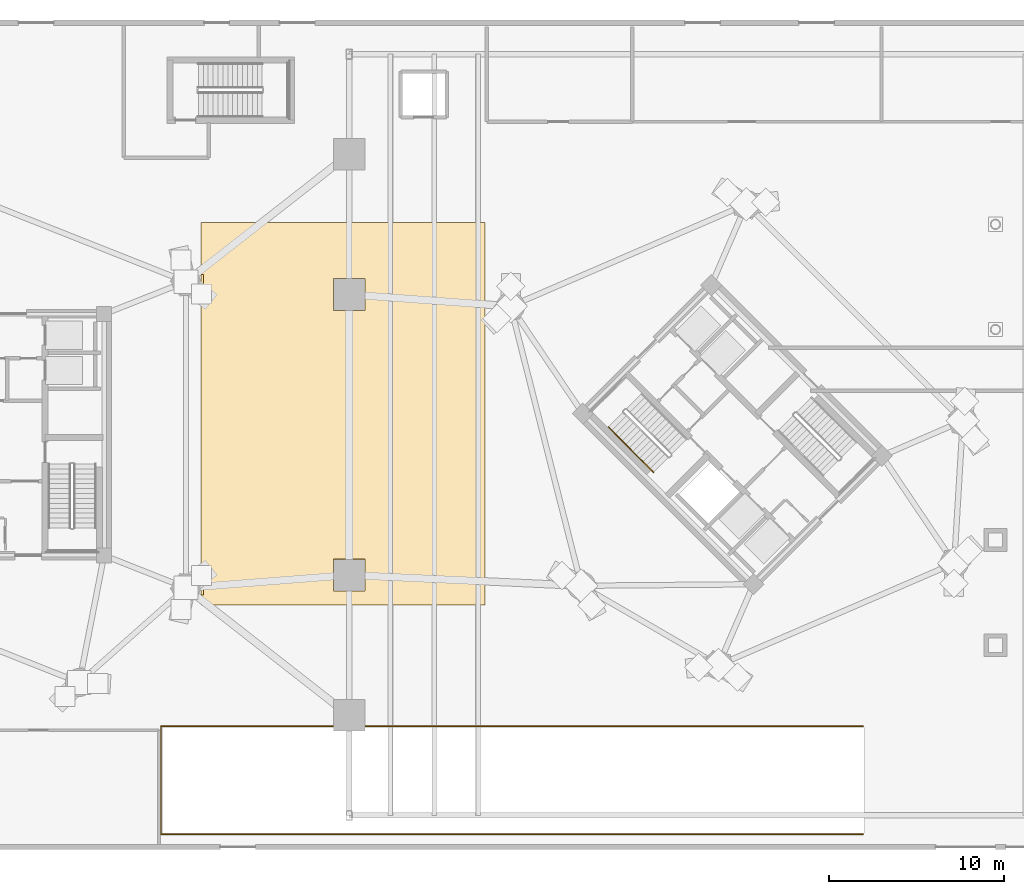
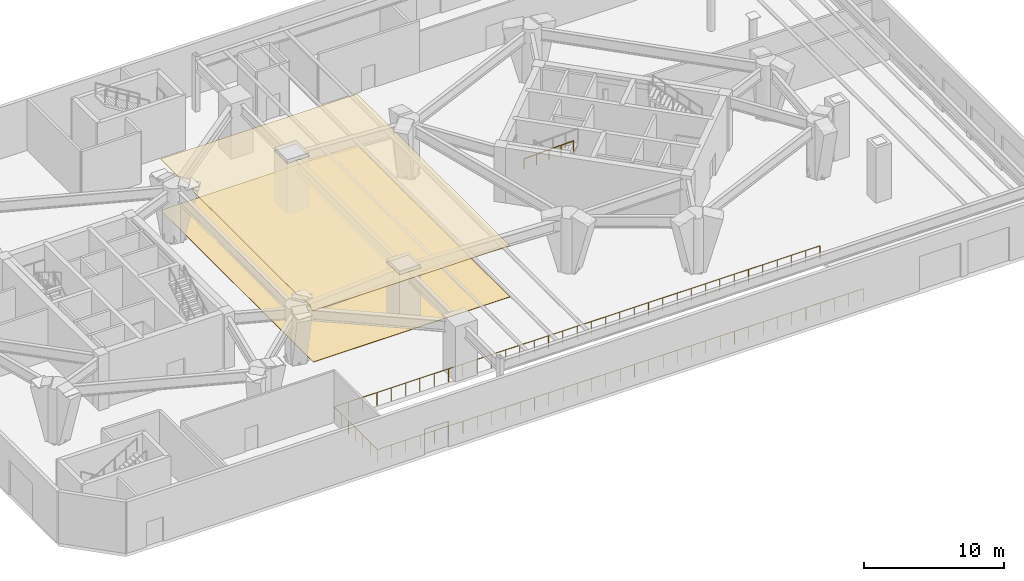
# One storey, part 13 of 17: 2 coverings, 2 railings.
"""IFC4 building model written with IfcOpenShell, lengths in metres."""

from ifc_helpers import new_model, si_unit, direction, frame, origin, origin_2d, place, context, subcontext, project, spatial, polyline, circle, outline, extrude, material, layer, layer_set, type_object, element, save


model = new_model("IFC4")

# Units and contexts
model_context = context("Model", 3, precision=1e-05, world=origin(), true_north=direction((0.0, 1.0)))
body_context = subcontext(model_context, "Body", "Model", "MODEL_VIEW")
ifc_project = project(units=[si_unit("LENGTHUNIT", "METRE"), si_unit("AREAUNIT", "SQUARE_METRE"), si_unit("VOLUMEUNIT", "CUBIC_METRE"), si_unit("PLANEANGLEUNIT", "RADIAN"), si_unit("MASSUNIT", "GRAM", prefix="KILO")], contexts=[model_context])

# Site, building, storey
site_placement = place(None, origin())
site = spatial("IfcSite", under=ifc_project, at=site_placement, CompositionType="ELEMENT")
building_placement = place(site_placement, origin())
building = spatial("IfcBuilding", under=site, at=building_placement, Name="Cununo Teusaquillo Station Towers", CompositionType="ELEMENT")
storey_placement = place(building_placement, origin())
storey = spatial("IfcBuildingStorey", under=building, at=storey_placement, Name="L00", CompositionType="ELEMENT", Elevation=0.0)

# Coverings
ifc_material_1 = material(Name="Mineral-fibre acoustic suspended ceiling tile", Category="finish")
ifc_layer_1 = layer(ifc_material_1, 0.044921875)
ifc_layer_set_1 = layer_set([ifc_layer_1], Name="Mineral-fibre acoustic suspended ceiling tile")
covering_type_1 = type_object("IfcCoveringType", Name="COV-CEIL-600", PredefinedType="CEILING", material=ifc_layer_set_1)
covering_1_placement = place(storey_placement, frame((0.0, 0.0, 4.455078125)))
element("IfcCovering", 1, at=covering_1_placement, inside=storey, type_object=covering_type_1, Name="L00 Suspended Acoustic Ceiling", PredefinedType="CEILING", context=body_context, shape_type="SweptSolid", body=[
    extrude(outline(polyline([(27.199951171875, 36.60009765625), (43.39990234375, 36.60009765625), (43.39990234375, 14.800048828125), (27.199951171875, 14.800048828125), (27.199951171875, 15.369873046875), (27.3388671875, 15.369873046875), (27.3388671875, 16.8779296875), (27.199951171875, 16.8779296875), (27.199951171875, 32.1220703125), (27.3388671875, 32.1220703125), (27.3388671875, 33.630126953125), (27.199951171875, 33.630126953125), (27.199951171875, 36.60009765625)]), holes=[polyline([(34.74609375, 15.595947265625), (36.553955078125, 15.595947265625), (36.553955078125, 17.404052734375), (34.74609375, 17.404052734375), (34.74609375, 15.595947265625)]), polyline([(34.74609375, 31.595947265625), (36.553955078125, 31.595947265625), (36.553955078125, 33.404052734375), (34.74609375, 33.404052734375), (34.74609375, 31.595947265625)])]), origin(), (0.0, 0.0, 1.0), 0.044921875),
])
ifc_material_2 = material(Name="Polished basalt-chip terrazzo floor finish", Category="masonry")
ifc_layer_2 = layer(ifc_material_2, 0.034912109375)
ifc_layer_set_2 = layer_set([ifc_layer_2], Name="Polished basalt-chip terrazzo floor finish")
covering_type_2 = type_object("IfcCoveringType", Name="COV-FLR-TERR", PredefinedType="FLOORING", material=ifc_layer_set_2)
covering_2_placement = place(storey_placement, origin())
element("IfcCovering", 2, at=covering_2_placement, inside=storey, type_object=covering_type_2, Name="L00 Polished Terrazzo Floor Finish", PredefinedType="FLOORING", context=body_context, shape_type="SweptSolid", body=[
    extrude(outline(polyline([(27.199951171875, 14.800048828125), (43.39990234375, 14.800048828125), (43.39990234375, 36.60009765625), (27.199951171875, 36.60009765625), (27.199951171875, 14.800048828125)])), origin(), (0.0, 0.0, 1.0), 0.034912109375),
])

# Railings
ifc_material_3 = material(Name="Steel EN 10025-2 S355J2", Category="steel")
railing_type_1 = type_object("IfcRailingType", Name="RL-INT-GUARD", PredefinedType="GUARDRAIL", material=ifc_material_3)
railing_1_placement = place(storey_placement, frame((64.949951171875, 7.8798828125, 0.0)))
element("IfcRailing", 3, at=railing_1_placement, inside=storey, type_object=railing_type_1, Name="L00 Vehicle Ramp Well Guardrail", PredefinedType="GUARDRAIL", context=body_context, shape_type="SweptSolid", body=[
    extrude(circle(Radius=0.02392578125, at=origin_2d()), frame((0.0, 0.0, 1.1259765625), z_axis=(-1.0, 0.0, 0.0), x_axis=(0.0, -1.0, 0.0)), (0.0, 0.0, 1.0), 40.030029296875),
    extrude(circle(Radius=0.02392578125, at=origin_2d()), frame((-40.030029296875, 0.0, 1.1259765625), z_axis=(0.0, -1.0, 0.0), x_axis=(1.0, 0.0, 0.0)), (0.0, 0.0, 1.0), 6.159912109375),
    extrude(circle(Radius=0.02392578125, at=origin_2d()), frame((-40.030029296875, -6.159912109375, 1.1259765625), z_axis=(1.0, 0.0, 0.0), x_axis=(0.0, 1.0, 0.0)), (0.0, 0.0, 1.0), 40.030029296875),
    extrude(circle(Radius=0.02099609375, at=origin_2d()), origin(), (0.0, 0.0, 1.0), 1.101806640625),
    extrude(circle(Radius=0.02099609375, at=origin_2d()), frame((-1.17724609375, 0.0, 0.0)), (0.0, 0.0, 1.0), 1.101806640625),
    extrude(circle(Radius=0.02099609375, at=origin_2d()), frame((-2.354736328125, 0.0, 0.0)), (0.0, 0.0, 1.0), 1.101806640625),
    extrude(circle(Radius=0.02099609375, at=origin_2d()), frame((-3.531982421875, 0.0, 0.0)), (0.0, 0.0, 1.0), 1.101806640625),
    extrude(circle(Radius=0.02099609375, at=origin_2d()), frame((-4.70947265625, 0.0, 0.0)), (0.0, 0.0, 1.0), 1.101806640625),
    extrude(circle(Radius=0.02099609375, at=origin_2d()), frame((-5.88671875, 0.0, 0.0)), (0.0, 0.0, 1.0), 1.101806640625),
    extrude(circle(Radius=0.02099609375, at=origin_2d()), frame((-7.064208984375, 0.0, 0.0)), (0.0, 0.0, 1.0), 1.101806640625),
    extrude(circle(Radius=0.02099609375, at=origin_2d()), frame((-8.241455078125, 0.0, 0.0)), (0.0, 0.0, 1.0), 1.101806640625),
    extrude(circle(Radius=0.02099609375, at=origin_2d()), frame((-9.4189453125, 0.0, 0.0)), (0.0, 0.0, 1.0), 1.101806640625),
    extrude(circle(Radius=0.02099609375, at=origin_2d()), frame((-10.59619140625, 0.0, 0.0)), (0.0, 0.0, 1.0), 1.101806640625),
    extrude(circle(Radius=0.02099609375, at=origin_2d()), frame((-11.7734375, 0.0, 0.0)), (0.0, 0.0, 1.0), 1.101806640625),
    extrude(circle(Radius=0.02099609375, at=origin_2d()), frame((-12.950927734375, 0.0, 0.0)), (0.0, 0.0, 1.0), 1.101806640625),
    extrude(circle(Radius=0.02099609375, at=origin_2d()), frame((-14.128173828125, 0.0, 0.0)), (0.0, 0.0, 1.0), 1.101806640625),
    extrude(circle(Radius=0.02099609375, at=origin_2d()), frame((-15.3056640625, 0.0, 0.0)), (0.0, 0.0, 1.0), 1.101806640625),
    extrude(circle(Radius=0.02099609375, at=origin_2d()), frame((-16.48291015625, 0.0, 0.0)), (0.0, 0.0, 1.0), 1.101806640625),
    extrude(circle(Radius=0.02099609375, at=origin_2d()), frame((-17.660400390625, 0.0, 0.0)), (0.0, 0.0, 1.0), 1.101806640625),
    extrude(circle(Radius=0.02099609375, at=origin_2d()), frame((-18.837646484375, 0.0, 0.0)), (0.0, 0.0, 1.0), 1.101806640625),
    extrude(circle(Radius=0.02099609375, at=origin_2d()), frame((-20.01513671875, 0.0, 0.0)), (0.0, 0.0, 1.0), 1.101806640625),
    extrude(circle(Radius=0.02099609375, at=origin_2d()), frame((-21.1923828125, 0.0, 0.0)), (0.0, 0.0, 1.0), 1.101806640625),
    extrude(circle(Radius=0.02099609375, at=origin_2d()), frame((-22.36962890625, 0.0, 0.0)), (0.0, 0.0, 1.0), 1.101806640625),
    extrude(circle(Radius=0.02099609375, at=origin_2d()), frame((-23.547119140625, 0.0, 0.0)), (0.0, 0.0, 1.0), 1.101806640625),
    extrude(circle(Radius=0.02099609375, at=origin_2d()), frame((-24.724365234375, 0.0, 0.0)), (0.0, 0.0, 1.0), 1.101806640625),
    extrude(circle(Radius=0.02099609375, at=origin_2d()), frame((-25.90185546875, 0.0, 0.0)), (0.0, 0.0, 1.0), 1.101806640625),
    extrude(circle(Radius=0.02099609375, at=origin_2d()), frame((-27.0791015625, 0.0, 0.0)), (0.0, 0.0, 1.0), 1.101806640625),
    extrude(circle(Radius=0.02099609375, at=origin_2d()), frame((-28.256591796875, 0.0, 0.0)), (0.0, 0.0, 1.0), 1.101806640625),
    extrude(circle(Radius=0.02099609375, at=origin_2d()), frame((-29.433837890625, 0.0, 0.0)), (0.0, 0.0, 1.0), 1.101806640625),
    extrude(circle(Radius=0.02099609375, at=origin_2d()), frame((-30.611083984375, 0.0, 0.0)), (0.0, 0.0, 1.0), 1.101806640625),
    extrude(circle(Radius=0.02099609375, at=origin_2d()), frame((-31.78857421875, 0.0, 0.0)), (0.0, 0.0, 1.0), 1.101806640625),
    extrude(circle(Radius=0.02099609375, at=origin_2d()), frame((-32.9658203125, 0.0, 0.0)), (0.0, 0.0, 1.0), 1.101806640625),
    extrude(circle(Radius=0.02099609375, at=origin_2d()), frame((-34.143310546875, 0.0, 0.0)), (0.0, 0.0, 1.0), 1.101806640625),
    extrude(circle(Radius=0.02099609375, at=origin_2d()), frame((-35.320556640625, 0.0, 0.0)), (0.0, 0.0, 1.0), 1.101806640625),
    extrude(circle(Radius=0.02099609375, at=origin_2d()), frame((-36.498046875, 0.0, 0.0)), (0.0, 0.0, 1.0), 1.101806640625),
    extrude(circle(Radius=0.02099609375, at=origin_2d()), frame((-37.67529296875, 0.0, 0.0)), (0.0, 0.0, 1.0), 1.101806640625),
    extrude(circle(Radius=0.02099609375, at=origin_2d()), frame((-38.852783203125, 0.0, 0.0)), (0.0, 0.0, 1.0), 1.101806640625),
    extrude(circle(Radius=0.02099609375, at=origin_2d()), frame((-40.030029296875, 0.0, 0.0)), (0.0, 0.0, 1.0), 1.101806640625),
    extrude(circle(Radius=0.02099609375, at=origin_2d()), frame((-40.030029296875, -1.026611328125, 0.0)), (0.0, 0.0, 1.0), 1.101806640625),
    extrude(circle(Radius=0.02099609375, at=origin_2d()), frame((-40.030029296875, -2.05322265625, 0.0)), (0.0, 0.0, 1.0), 1.101806640625),
    extrude(circle(Radius=0.02099609375, at=origin_2d()), frame((-40.030029296875, -3.080078125, 0.0)), (0.0, 0.0, 1.0), 1.101806640625),
    extrude(circle(Radius=0.02099609375, at=origin_2d()), frame((-40.030029296875, -4.106689453125, 0.0)), (0.0, 0.0, 1.0), 1.101806640625),
    extrude(circle(Radius=0.02099609375, at=origin_2d()), frame((-40.030029296875, -5.13330078125, 0.0)), (0.0, 0.0, 1.0), 1.101806640625),
    extrude(circle(Radius=0.02099609375, at=origin_2d()), frame((-40.030029296875, -6.159912109375, 0.0)), (0.0, 0.0, 1.0), 1.101806640625),
    extrude(circle(Radius=0.02099609375, at=origin_2d()), frame((-38.852783203125, -6.159912109375, 0.0)), (0.0, 0.0, 1.0), 1.101806640625),
    extrude(circle(Radius=0.02099609375, at=origin_2d()), frame((-37.67529296875, -6.159912109375, 0.0)), (0.0, 0.0, 1.0), 1.101806640625),
    extrude(circle(Radius=0.02099609375, at=origin_2d()), frame((-36.498046875, -6.159912109375, 0.0)), (0.0, 0.0, 1.0), 1.101806640625),
    extrude(circle(Radius=0.02099609375, at=origin_2d()), frame((-35.320556640625, -6.159912109375, 0.0)), (0.0, 0.0, 1.0), 1.101806640625),
    extrude(circle(Radius=0.02099609375, at=origin_2d()), frame((-34.143310546875, -6.159912109375, 0.0)), (0.0, 0.0, 1.0), 1.101806640625),
    extrude(circle(Radius=0.02099609375, at=origin_2d()), frame((-32.9658203125, -6.159912109375, 0.0)), (0.0, 0.0, 1.0), 1.101806640625),
    extrude(circle(Radius=0.02099609375, at=origin_2d()), frame((-31.78857421875, -6.159912109375, 0.0)), (0.0, 0.0, 1.0), 1.101806640625),
    extrude(circle(Radius=0.02099609375, at=origin_2d()), frame((-30.611083984375, -6.159912109375, 0.0)), (0.0, 0.0, 1.0), 1.101806640625),
    extrude(circle(Radius=0.02099609375, at=origin_2d()), frame((-29.433837890625, -6.159912109375, 0.0)), (0.0, 0.0, 1.0), 1.101806640625),
    extrude(circle(Radius=0.02099609375, at=origin_2d()), frame((-28.256591796875, -6.159912109375, 0.0)), (0.0, 0.0, 1.0), 1.101806640625),
    extrude(circle(Radius=0.02099609375, at=origin_2d()), frame((-27.0791015625, -6.159912109375, 0.0)), (0.0, 0.0, 1.0), 1.101806640625),
    extrude(circle(Radius=0.02099609375, at=origin_2d()), frame((-25.90185546875, -6.159912109375, 0.0)), (0.0, 0.0, 1.0), 1.101806640625),
    extrude(circle(Radius=0.02099609375, at=origin_2d()), frame((-24.724365234375, -6.159912109375, 0.0)), (0.0, 0.0, 1.0), 1.101806640625),
    extrude(circle(Radius=0.02099609375, at=origin_2d()), frame((-23.547119140625, -6.159912109375, 0.0)), (0.0, 0.0, 1.0), 1.101806640625),
    extrude(circle(Radius=0.02099609375, at=origin_2d()), frame((-22.36962890625, -6.159912109375, 0.0)), (0.0, 0.0, 1.0), 1.101806640625),
    extrude(circle(Radius=0.02099609375, at=origin_2d()), frame((-21.1923828125, -6.159912109375, 0.0)), (0.0, 0.0, 1.0), 1.101806640625),
    extrude(circle(Radius=0.02099609375, at=origin_2d()), frame((-20.01513671875, -6.159912109375, 0.0)), (0.0, 0.0, 1.0), 1.101806640625),
    extrude(circle(Radius=0.02099609375, at=origin_2d()), frame((-18.837646484375, -6.159912109375, 0.0)), (0.0, 0.0, 1.0), 1.101806640625),
    extrude(circle(Radius=0.02099609375, at=origin_2d()), frame((-17.660400390625, -6.159912109375, 0.0)), (0.0, 0.0, 1.0), 1.101806640625),
    extrude(circle(Radius=0.02099609375, at=origin_2d()), frame((-16.48291015625, -6.159912109375, 0.0)), (0.0, 0.0, 1.0), 1.101806640625),
    extrude(circle(Radius=0.02099609375, at=origin_2d()), frame((-15.3056640625, -6.159912109375, 0.0)), (0.0, 0.0, 1.0), 1.101806640625),
    extrude(circle(Radius=0.02099609375, at=origin_2d()), frame((-14.128173828125, -6.159912109375, 0.0)), (0.0, 0.0, 1.0), 1.101806640625),
    extrude(circle(Radius=0.02099609375, at=origin_2d()), frame((-12.950927734375, -6.159912109375, 0.0)), (0.0, 0.0, 1.0), 1.101806640625),
    extrude(circle(Radius=0.02099609375, at=origin_2d()), frame((-11.7734375, -6.159912109375, 0.0)), (0.0, 0.0, 1.0), 1.101806640625),
    extrude(circle(Radius=0.02099609375, at=origin_2d()), frame((-10.59619140625, -6.159912109375, 0.0)), (0.0, 0.0, 1.0), 1.101806640625),
    extrude(circle(Radius=0.02099609375, at=origin_2d()), frame((-9.4189453125, -6.159912109375, 0.0)), (0.0, 0.0, 1.0), 1.101806640625),
    extrude(circle(Radius=0.02099609375, at=origin_2d()), frame((-8.241455078125, -6.159912109375, 0.0)), (0.0, 0.0, 1.0), 1.101806640625),
    extrude(circle(Radius=0.02099609375, at=origin_2d()), frame((-7.064208984375, -6.159912109375, 0.0)), (0.0, 0.0, 1.0), 1.101806640625),
    extrude(circle(Radius=0.02099609375, at=origin_2d()), frame((-5.88671875, -6.159912109375, 0.0)), (0.0, 0.0, 1.0), 1.101806640625),
    extrude(circle(Radius=0.02099609375, at=origin_2d()), frame((-4.70947265625, -6.159912109375, 0.0)), (0.0, 0.0, 1.0), 1.101806640625),
    extrude(circle(Radius=0.02099609375, at=origin_2d()), frame((-3.531982421875, -6.159912109375, 0.0)), (0.0, 0.0, 1.0), 1.101806640625),
    extrude(circle(Radius=0.02099609375, at=origin_2d()), frame((-2.354736328125, -6.159912109375, 0.0)), (0.0, 0.0, 1.0), 1.101806640625),
    extrude(circle(Radius=0.02099609375, at=origin_2d()), frame((-1.17724609375, -6.159912109375, 0.0)), (0.0, 0.0, 1.0), 1.101806640625),
    extrude(circle(Radius=0.02099609375, at=origin_2d()), frame((0.0, -6.159912109375, 0.0)), (0.0, 0.0, 1.0), 1.101806640625),
])
ifc_material_4 = material(Name="Steel EN 10025-2 S355J2", Category="steel")
railing_type_2 = type_object("IfcRailingType", Name="RL-INT-HRAIL", PredefinedType="HANDRAIL", material=ifc_material_4)
railing_2_placement = place(storey_placement, frame((50.428955078125, 24.9384765625, 2.571533203125)))
element("IfcRailing", 4, at=railing_2_placement, inside=storey, type_object=railing_type_2, Name="L00 ST-T2-1 stair handrail 2", PredefinedType="HANDRAIL", context=body_context, shape_type="SweptSolid", body=[
    extrude(circle(Radius=0.02392578125, at=origin_2d()), frame((0.0, 0.0, 0.8759765625), z_axis=(0.603067823642, -0.603067823642, 0.522128719929), x_axis=(0.707106781187, 0.707106781187, 0.0)), (0.0, 0.0, 1.0), 4.26806640625),
    extrude(circle(Radius=0.02099609375, at=origin_2d()), origin(), (0.0, 0.0, 1.0), 0.851806640625),
    extrude(circle(Radius=0.02099609375, at=origin_2d()), frame((0.6435546875, -0.6435546875, 0.55712890625)), (0.0, 0.0, 1.0), 0.851806640625),
    extrude(circle(Radius=0.02099609375, at=origin_2d()), frame((1.287109375, -1.287109375, 1.1142578125)), (0.0, 0.0, 1.0), 0.851806640625),
    extrude(circle(Radius=0.02099609375, at=origin_2d()), frame((1.930419921875, -1.930419921875, 1.67138671875)), (0.0, 0.0, 1.0), 0.851806640625),
    extrude(circle(Radius=0.02099609375, at=origin_2d()), frame((2.573974609375, -2.573974609375, 2.228515625)), (0.0, 0.0, 1.0), 0.851806640625),
])

save(model, "model.ifc")
